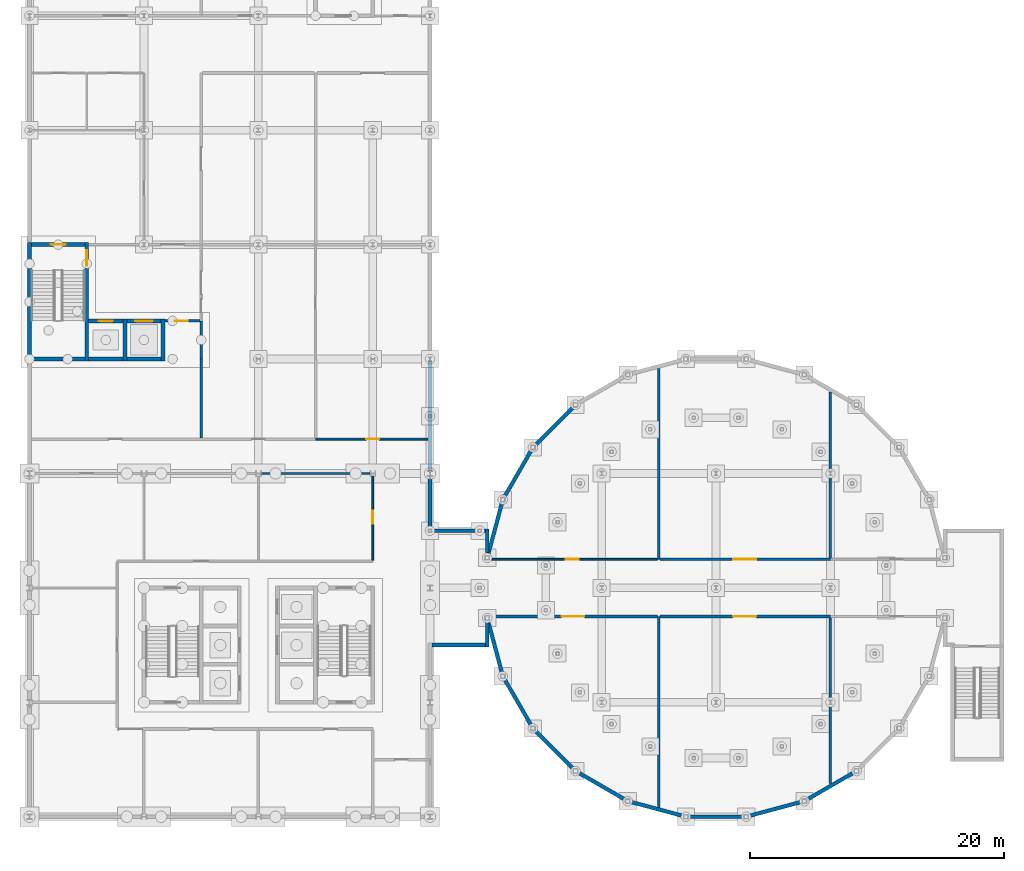
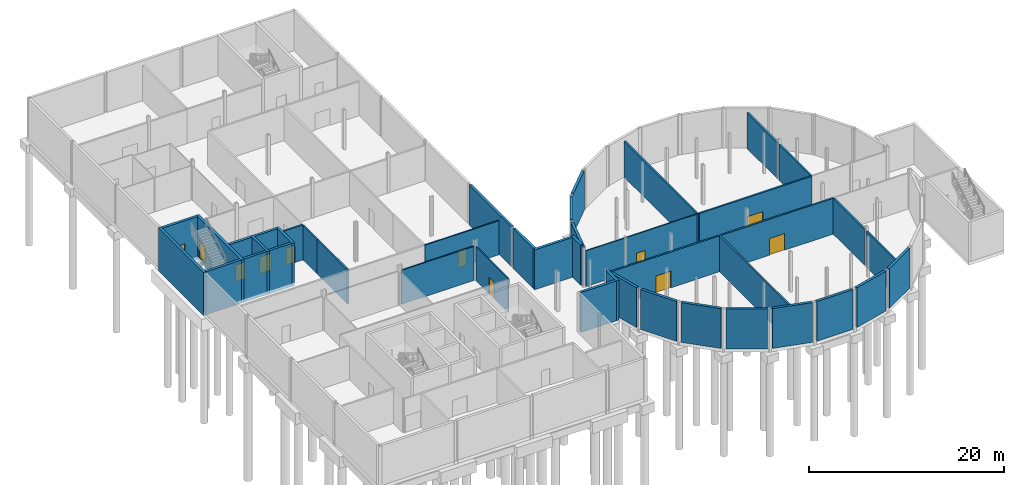
# One storey, part 15 of 25: 43 walls, 11 doors, 11 openings.
"""IFC4 building model written with IfcOpenShell, lengths in metres."""

from ifc_helpers import new_model, si_unit, direction, frame, frame_2d, origin, place, context, subcontext, project, spatial, rectangle, extrude, material, layer, layer_set, type_object, element, fill, save


model = new_model("IFC4")

# Units and contexts
model_context = context("Model", 3, precision=1e-05, world=origin(), true_north=direction((0.0, 1.0)))
body_context = subcontext(model_context, "Body", "Model", "MODEL_VIEW")
ifc_project = project(units=[si_unit("LENGTHUNIT", "METRE"), si_unit("AREAUNIT", "SQUARE_METRE"), si_unit("VOLUMEUNIT", "CUBIC_METRE"), si_unit("PLANEANGLEUNIT", "RADIAN"), si_unit("MASSUNIT", "GRAM", prefix="KILO")], contexts=[model_context])

# Site, building, storey
site_placement = place(None, origin())
site = spatial("IfcSite", under=ifc_project, at=site_placement, CompositionType="ELEMENT")
building_placement = place(site_placement, origin())
building = spatial("IfcBuilding", under=site, at=building_placement, Name="Hortulan Conservatory and Botanical Research Centre", CompositionType="ELEMENT")
storey_placement = place(building_placement, frame((0.0, 0.0, -5.0)))
storey = spatial("IfcBuildingStorey", under=building, at=storey_placement, Name="B1", CompositionType="ELEMENT", Elevation=-5.0)

# Walls
ifc_material_1 = material(Name="Concrete N40 (40 MPa, AS 3600)", Category="concrete")
ifc_layer_1 = layer(ifc_material_1, 0.300048828125)
ifc_layer_set_1 = layer_set([ifc_layer_1], Name="Basement Wall 300 N40 FRL 120/120/120")
wall_type_1 = type_object("IfcWallType", Name="Basement Wall 300 N40 FRL 120/120/120", PredefinedType="SOLIDWALL", material=ifc_layer_set_1)
wall_1_placement = place(storey_placement, frame((64.835693359375, 3.471435546875, 0.0), z_axis=(0.0, 0.0, 1.0), x_axis=(-0.866030225258, -0.499991648869, 0.0)))
element("IfcWall", 1, at=wall_1_placement, inside=storey, type_object=wall_type_1, Name="Basement retaining wall", PredefinedType="SOLIDWALL", context=body_context, shape_type="SweptSolid", body=[
    extrude(rectangle(XDim=4.2392578125, YDim=0.300048828125, at=frame_2d((2.11962890625, 0.0))), origin(), (0.0, 0.0, 1.0), 5.0),
])
wall_2_placement = place(storey_placement, frame((60.706298828125, 1.162109375, 0.0), z_axis=(0.0, 0.0, 1.0), x_axis=(-0.965919776125, -0.258841623565, 0.0)))
element("IfcWall", 2, at=wall_2_placement, inside=storey, type_object=wall_type_1, Name="Basement retaining wall", PredefinedType="SOLIDWALL", context=body_context, shape_type="SweptSolid", body=[
    extrude(rectangle(XDim=4.23974609375, YDim=0.300048828125, at=frame_2d((2.119873046875, 0.0))), origin(), (0.0, 0.0, 1.0), 5.0),
])
wall_3_placement = place(storey_placement, frame((56.11962890625, 0.0, 0.0), z_axis=(0.0, 0.0, 1.0), x_axis=(-1.0, 0.0, 0.0)))
element("IfcWall", 3, at=wall_3_placement, inside=storey, type_object=wall_type_1, Name="Basement retaining wall", PredefinedType="SOLIDWALL", context=body_context, shape_type="SweptSolid", body=[
    extrude(rectangle(XDim=4.2392578125, YDim=0.300048828125, at=frame_2d((2.11962890625, 0.0))), origin(), (0.0, 0.0, 1.0), 5.0),
])
wall_4_placement = place(storey_placement, frame((51.388916015625, 0.064697265625, 0.0), z_axis=(0.0, 0.0, 1.0), x_axis=(-0.965919776125, 0.258841623565, 0.0)))
element("IfcWall", 4, at=wall_4_placement, inside=storey, type_object=wall_type_1, Name="Basement retaining wall", PredefinedType="SOLIDWALL", context=body_context, shape_type="SweptSolid", body=[
    extrude(rectangle(XDim=4.23974609375, YDim=0.300048828125, at=frame_2d((2.119873046875, 0.0))), origin(), (0.0, 0.0, 1.0), 5.0),
])
wall_5_placement = place(storey_placement, frame((46.835693359375, 1.351806640625, 0.0), z_axis=(0.0, 0.0, 1.0), x_axis=(-0.866030225258, 0.499991648869, 0.0)))
element("IfcWall", 5, at=wall_5_placement, inside=storey, type_object=wall_type_1, Name="Basement retaining wall", PredefinedType="SOLIDWALL", context=body_context, shape_type="SweptSolid", body=[
    extrude(rectangle(XDim=4.2392578125, YDim=0.300048828125, at=frame_2d((2.11962890625, 0.0))), origin(), (0.0, 0.0, 1.0), 5.0),
])
wall_6_placement = place(storey_placement, frame((42.77099609375, 3.773193359375, 0.0), z_axis=(0.0, 0.0, 1.0), x_axis=(-0.707106781187, 0.707106781187, 0.0)))
element("IfcWall", 6, at=wall_6_placement, inside=storey, type_object=wall_type_1, Name="Basement retaining wall", PredefinedType="SOLIDWALL", context=body_context, shape_type="SweptSolid", body=[
    extrude(rectangle(XDim=4.239501953125, YDim=0.300048828125, at=frame_2d((2.11962890625, 0.0))), origin(), (0.0, 0.0, 1.0), 5.0),
])
wall_7_placement = place(storey_placement, frame((39.471435546875, 7.164306640625, 0.0), z_axis=(0.0, 0.0, 1.0), x_axis=(-0.499991648869, 0.866030225258, 0.0)))
element("IfcWall", 7, at=wall_7_placement, inside=storey, type_object=wall_type_1, Name="Basement retaining wall", PredefinedType="SOLIDWALL", context=body_context, shape_type="SweptSolid", body=[
    extrude(rectangle(XDim=4.2392578125, YDim=0.300048828125, at=frame_2d((2.11962890625, 0.0))), origin(), (0.0, 0.0, 1.0), 5.0),
])
wall_8_placement = place(storey_placement, frame((37.162109375, 11.293701171875, 0.0), z_axis=(0.0, 0.0, 1.0), x_axis=(-0.25885146559, 0.965917138663, 0.0)))
element("IfcWall", 8, at=wall_8_placement, inside=storey, type_object=wall_type_1, Name="Basement retaining wall", PredefinedType="SOLIDWALL", context=body_context, shape_type="SweptSolid", body=[
    extrude(rectangle(XDim=4.089599609375, YDim=0.300048828125, at=frame_2d((2.044921875, 0.0))), origin(), (0.0, 0.0, 1.0), 5.0),
])
wall_9_placement = place(storey_placement, frame((36.0, 15.5302734375, 0.0), z_axis=(0.0, 0.0, 1.0), x_axis=(0.0, -1.0, 0.0)))
element("IfcWall", 9, at=wall_9_placement, inside=storey, type_object=wall_type_1, Name="Basement retaining wall", PredefinedType="SOLIDWALL", context=body_context, shape_type="SweptSolid", body=[
    extrude(rectangle(XDim=2.18017578125, YDim=0.300048828125, at=frame_2d((1.090087890625, 0.0))), origin(), (0.0, 0.0, 1.0), 5.0),
])
wall_10_placement = place(storey_placement, frame((35.85009765625, 13.5, 0.0), z_axis=(0.0, 0.0, 1.0), x_axis=(-1.0, 0.0, 0.0)))
element("IfcWall", 10, at=wall_10_placement, inside=storey, type_object=wall_type_1, Name="Basement retaining wall", PredefinedType="SOLIDWALL", context=body_context, shape_type="SweptSolid", body=[
    extrude(rectangle(XDim=4.2001953125, YDim=0.300048828125, at=frame_2d((2.10009765625, 0.0))), origin(), (0.0, 0.0, 1.0), 5.0),
])
wall_11_placement = place(storey_placement, frame((31.5, 35.839599609375, 0.0), z_axis=(0.0, 0.0, 1.0), x_axis=(0.0, -1.0, 0.0)))
element("IfcWall", 11, at=wall_11_placement, inside=storey, type_object=wall_type_1, Name="Basement retaining wall", PredefinedType="SOLIDWALL", context=body_context, shape_type="SweptSolid", body=[
    extrude(rectangle(XDim=8.628662109375, YDim=0.300048828125, at=frame_2d((4.314453125, 0.0))), origin(), (0.0, 0.0, 1.0), 5.0),
])
wall_12_placement = place(storey_placement, frame((31.35009765625, 22.5, 0.0), z_axis=(0.0, 0.0, 1.0), x_axis=(1.0, 0.0, 0.0)))
element("IfcWall", 12, at=wall_12_placement, inside=storey, type_object=wall_type_1, Name="Basement retaining wall", PredefinedType="SOLIDWALL", context=body_context, shape_type="SweptSolid", body=[
    extrude(rectangle(XDim=4.5, YDim=0.300048828125, at=frame_2d((2.25, 0.0))), origin(), (0.0, 0.0, 1.0), 5.0),
])
wall_13_placement = place(storey_placement, frame((36.0, 22.64990234375, 0.0), z_axis=(0.0, 0.0, 1.0), x_axis=(0.0, -1.0, 0.0)))
element("IfcWall", 13, at=wall_13_placement, inside=storey, type_object=wall_type_1, Name="Basement retaining wall", PredefinedType="SOLIDWALL", context=body_context, shape_type="SweptSolid", body=[
    extrude(rectangle(XDim=1.880126953125, YDim=0.300048828125, at=frame_2d((0.93994140625, 0.0))), origin(), (0.0, 0.0, 1.0), 5.0),
])
wall_14_placement = place(storey_placement, frame((36.02587890625, 20.46630859375, 0.0), z_axis=(0.0, 0.0, 1.0), x_axis=(0.258846359831, 0.965918506916, 0.0)))
element("IfcWall", 14, at=wall_14_placement, inside=storey, type_object=wall_type_1, Name="Basement retaining wall", PredefinedType="SOLIDWALL", context=body_context, shape_type="SweptSolid", body=[
    extrude(rectangle(XDim=4.3896484375, YDim=0.300048828125, at=frame_2d((2.19482421875, 0.0))), origin(), (0.0, 0.0, 1.0), 5.0),
])
wall_15_placement = place(storey_placement, frame((37.351806640625, 25.164306640625, 0.0), z_axis=(0.0, 0.0, 1.0), x_axis=(0.499991648869, 0.866030225258, 0.0)))
element("IfcWall", 15, at=wall_15_placement, inside=storey, type_object=wall_type_1, Name="Basement retaining wall", PredefinedType="SOLIDWALL", context=body_context, shape_type="SweptSolid", body=[
    extrude(rectangle(XDim=4.2392578125, YDim=0.300048828125, at=frame_2d((2.11962890625, 0.0))), origin(), (0.0, 0.0, 1.0), 5.0),
])
wall_16_placement = place(storey_placement, frame((39.773193359375, 29.22900390625, 0.0), z_axis=(0.0, 0.0, 1.0), x_axis=(0.707106781187, 0.707106781187, 0.0)))
element("IfcWall", 16, at=wall_16_placement, inside=storey, type_object=wall_type_1, Name="Basement retaining wall", PredefinedType="SOLIDWALL", context=body_context, shape_type="SweptSolid", body=[
    extrude(rectangle(XDim=4.239501953125, YDim=0.300048828125, at=frame_2d((2.11962890625, 0.0))), origin(), (0.0, 0.0, 1.0), 5.0),
])
ifc_layer_2 = layer(ifc_material_1, 0.300048828125)
ifc_layer_set_2 = layer_set([ifc_layer_2], Name="Basement Wall 300 N40 FRL 240/240/240")
wall_type_2 = type_object("IfcWallType", Name="Basement Wall 300 N40 FRL 240/240/240", PredefinedType="SOLIDWALL", material=ifc_layer_set_2)
wall_17_placement = place(storey_placement, frame((31.5, 26.7890625, 0.0), z_axis=(0.0, 0.0, 1.0), x_axis=(0.0, -1.0, 0.0)))
element("IfcWall", 17, at=wall_17_placement, inside=storey, type_object=wall_type_2, Name="Basement retaining wall", PredefinedType="SOLIDWALL", context=body_context, shape_type="SweptSolid", body=[
    extrude(rectangle(XDim=4.13916015625, YDim=0.300048828125, at=frame_2d((2.069580078125, 0.0))), origin(), (0.0, 0.0, 1.0), 5.0),
])
ifc_material_2 = material(Name="Fire-rated plasterboard on steel studs", Category="steel")
ifc_layer_3 = layer(ifc_material_2, 0.199951171875)
ifc_layer_set_3 = layer_set([ifc_layer_3], Name="Compartment Partition 200")
wall_type_3 = type_object("IfcWallType", Name="Compartment Partition 200", PredefinedType="PARTITIONING", material=ifc_layer_set_3)
wall_18_placement = place(storey_placement, frame((13.5, 29.81005859375, 0.0), z_axis=(0.0, 0.0, 1.0), x_axis=(0.0, 1.0, 0.0)))
element("IfcWall", 18, at=wall_18_placement, inside=storey, type_object=wall_type_3, Name="Store wall", PredefinedType="PARTITIONING", context=body_context, shape_type="SweptSolid", body=[
    extrude(rectangle(XDim=6.18994140625, YDim=0.199951171875, at=frame_2d((3.094970703125, 0.0))), origin(), (0.0, 0.0, 1.0), 4.27197265625),
])
wall_19_placement = place(storey_placement, frame((13.5, 36.010009765625, 0.0), z_axis=(0.0, 0.0, 1.0), x_axis=(0.0, 1.0, 0.0)))
element("IfcWall", 19, at=wall_19_placement, inside=storey, type_object=wall_type_3, Name="Partition Services Riser and Exhibition Workshop B1", PredefinedType="PARTITIONING", context=body_context, shape_type="SweptSolid", body=[
    extrude(rectangle(XDim=2.97998046875, YDim=0.199951171875, at=frame_2d((1.489990234375, 0.0))), origin(), (0.0, 0.0, 1.0), 4.27197265625),
])
for number, where, z_axis, x_axis, name in (
    (20, (49.5, 0.736572265625, 0.0), (0.0, 0.0, 1.0), (0.0, 1.0, 0.0), "Partition Conservatory Heating and Cooling Hall and Irrigation Tank Room B1"),
    (21, (49.5, 20.25, 0.0), (0.0, 0.0, 1.0), (0.0, 1.0, 0.0), "Partition Propagation Cold Chamber and Rainwater Tank Room B1"),
):
    element("IfcWall", number, at=place(storey_placement, frame(where, z_axis=z_axis, x_axis=x_axis)), inside=storey, type_object=wall_type_3, Name=name, PredefinedType="PARTITIONING", context=body_context, shape_type="SweptSolid", body=[
        extrude(rectangle(XDim=15.013427734375, YDim=0.199951171875, at=frame_2d((7.5068359375, 0.0))), origin(), (0.0, 0.0, 1.0), 4.49609375),
    ])
wall_20_placement = place(storey_placement, frame((63.0, 2.59619140625, 0.0), z_axis=(0.0, 0.0, 1.0), x_axis=(0.0, 1.0, 0.0)))
element("IfcWall", 22, at=wall_20_placement, inside=storey, type_object=wall_type_3, Name="Partition Irrigation Tank Room and Substrate and Compost Depot B1", PredefinedType="PARTITIONING", context=body_context, shape_type="SweptSolid", body=[
    extrude(rectangle(XDim=6.236328125, YDim=0.199951171875, at=frame_2d((3.1181640625, 0.0))), origin(), (0.0, 0.0, 1.0), 4.49609375),
])
for number, where, z_axis, x_axis, name in (
    (23, (63.0, 9.16748046875, 0.0), (0.0, 0.0, 1.0), (0.0, 1.0, 0.0), "Partition Irrigation Tank Room and Substrate and Compost Depot B1"),
    (24, (63.0, 20.360107421875, 0.0), (0.0, 0.0, 1.0), (0.0, 1.0, 0.0), "Partition Rainwater Tank Room and Fertiliser and Chemical Depot B1"),
):
    element("IfcWall", number, at=place(storey_placement, frame(where, z_axis=z_axis, x_axis=x_axis)), inside=storey, type_object=wall_type_3, Name=name, PredefinedType="PARTITIONING", context=body_context, shape_type="SweptSolid", body=[
        extrude(rectangle(XDim=6.472412109375, YDim=0.199951171875, at=frame_2d((3.236328125, 0.0))), origin(), (0.0, 0.0, 1.0), 4.49609375),
    ])
wall_21_placement = place(storey_placement, frame((63.0, 27.16748046875, 0.0), z_axis=(0.0, 0.0, 1.0), x_axis=(0.0, 1.0, 0.0)))
element("IfcWall", 25, at=wall_21_placement, inside=storey, type_object=wall_type_3, Name="Partition Rainwater Tank Room and Fertiliser and Chemical Depot B1", PredefinedType="PARTITIONING", context=body_context, shape_type="SweptSolid", body=[
    extrude(rectangle(XDim=6.236328125, YDim=0.199951171875, at=frame_2d((3.1181640625, 0.0))), origin(), (0.0, 0.0, 1.0), 4.49609375),
])

# Wall, opening, door
wall_22_placement = place(storey_placement, frame((36.18505859375, 15.75, 0.0), z_axis=(0.0, 0.0, 1.0), x_axis=(1.0, 0.0, 0.0)))
wall_22 = element("IfcWall", 26, at=wall_22_placement, inside=storey, type_object=wall_type_3, Name="Partition Undercroft Plant Corridor and Conservatory Heating and Cooling Hall B1", PredefinedType="PARTITIONING", context=body_context, shape_type="SweptSolid", body=[
    extrude(rectangle(XDim=13.204833984375, YDim=0.199951171875, at=frame_2d((6.6025390625, 0.0))), origin(), (0.0, 0.0, 1.0), 4.49609375),
])
opening_1_placement = place(wall_22_placement, frame((5.6650390625, 0.0, 0.0)))
opening_1 = element("IfcOpeningElement", 27, at=opening_1_placement, cuts=wall_22, Name="Opening DT7", PredefinedType="OPENING", context=body_context, shape_type="SweptSolid", body=[
    extrude(rectangle(XDim=1.800048828125, YDim=2.10009765625, at=frame_2d((0.89990234375, 1.050048828125))), frame((0.0, 0.10986328125, 0.0), z_axis=(0.0, -1.0, 0.0), x_axis=(1.0, 0.0, 0.0)), (0.0, 0.0, 1.0), 0.219970703125),
])
ifc_material_3 = material(Name="Steel door leaf, insulated", Category="steel")
door_type_1 = type_object("IfcDoorType", Name="Plant Room Double Door 1800x2100 FRL -/120/30", OperationType="DOUBLE_DOOR_SINGLE_SWING", PredefinedType="DOOR", material=ifc_material_3)
door_1_placement = place(opening_1_placement, origin())
door_1 = element("IfcDoor", 28, at=door_1_placement, inside=storey, type_object=door_type_1, Name="Door DT7 Conservatory Heating and Cooling Hall to Undercroft Plant Corridor", OperationType="DOUBLE_DOOR_SINGLE_SWING", OverallHeight=2.10009765625, OverallWidth=1.800048828125, PredefinedType="DOOR", context=body_context, shape_type="SweptSolid", body=[
    extrude(rectangle(XDim=1.800048828125, YDim=2.10009765625, at=frame_2d((0.89990234375, 1.050048828125))), frame((0.0, 0.02490234375, 0.0), z_axis=(0.0, -1.0, 0.0), x_axis=(1.0, 0.0, 0.0)), (0.0, 0.0, 1.0), 0.050048828125),
])
fill(opening_1, door_1)

wall_23_placement = place(storey_placement, frame((49.610107421875, 15.75, 0.0), z_axis=(0.0, 0.0, 1.0), x_axis=(1.0, 0.0, 0.0)))
wall_23 = element("IfcWall", 29, at=wall_23_placement, inside=storey, type_object=wall_type_3, Name="Partition Undercroft Plant Corridor and Irrigation Tank Room B1", PredefinedType="PARTITIONING", context=body_context, shape_type="SweptSolid", body=[
    extrude(rectangle(XDim=13.389892578125, YDim=0.199951171875, at=frame_2d((6.69482421875, 0.0))), origin(), (0.0, 0.0, 1.0), 4.49609375),
])
opening_2_placement = place(wall_23_placement, frame((5.739990234375, 0.0, 0.0)))
opening_2 = element("IfcOpeningElement", 30, at=opening_2_placement, cuts=wall_23, Name="Opening DT7", PredefinedType="OPENING", context=body_context, shape_type="SweptSolid", body=[
    extrude(rectangle(XDim=1.800048828125, YDim=2.10009765625, at=frame_2d((0.89990234375, 1.050048828125))), frame((0.0, 0.10986328125, 0.0), z_axis=(0.0, -1.0, 0.0), x_axis=(1.0, 0.0, 0.0)), (0.0, 0.0, 1.0), 0.219970703125),
])
door_2_placement = place(opening_2_placement, origin())
door_2 = element("IfcDoor", 31, at=door_2_placement, inside=storey, type_object=door_type_1, Name="Door DT7 Irrigation Tank Room to Undercroft Plant Corridor", OperationType="DOUBLE_DOOR_SINGLE_SWING", OverallHeight=2.10009765625, OverallWidth=1.800048828125, PredefinedType="DOOR", context=body_context, shape_type="SweptSolid", body=[
    extrude(rectangle(XDim=1.800048828125, YDim=2.10009765625, at=frame_2d((0.89990234375, 1.050048828125))), frame((0.0, 0.02490234375, 0.0), z_axis=(0.0, -1.0, 0.0), x_axis=(1.0, 0.0, 0.0)), (0.0, 0.0, 1.0), 0.050048828125),
])
fill(opening_2, door_2)

wall_24_placement = place(storey_placement, frame((49.610107421875, 20.25, 0.0), z_axis=(0.0, 0.0, 1.0), x_axis=(1.0, 0.0, 0.0)))
wall_24 = element("IfcWall", 32, at=wall_24_placement, inside=storey, type_object=wall_type_3, Name="Partition Undercroft Plant Corridor and Rainwater Tank Room B1", PredefinedType="PARTITIONING", context=body_context, shape_type="SweptSolid", body=[
    extrude(rectangle(XDim=13.389892578125, YDim=0.199951171875, at=frame_2d((6.69482421875, 0.0))), origin(), (0.0, 0.0, 1.0), 4.49609375),
])
opening_3_placement = place(wall_24_placement, frame((5.739990234375, 0.0, 0.0)))
opening_3 = element("IfcOpeningElement", 33, at=opening_3_placement, cuts=wall_24, Name="Opening DT7", PredefinedType="OPENING", context=body_context, shape_type="SweptSolid", body=[
    extrude(rectangle(XDim=1.800048828125, YDim=2.10009765625, at=frame_2d((0.89990234375, 1.050048828125))), frame((0.0, 0.10986328125, 0.0), z_axis=(0.0, -1.0, 0.0), x_axis=(1.0, 0.0, 0.0)), (0.0, 0.0, 1.0), 0.219970703125),
])
door_3_placement = place(opening_3_placement, frame((1.800048828125, 0.0, 0.0), z_axis=(0.0, 0.0, 1.0), x_axis=(-1.0, 0.0, 0.0)))
door_3 = element("IfcDoor", 34, at=door_3_placement, inside=storey, type_object=door_type_1, Name="Door DT7 Rainwater Tank Room to Undercroft Plant Corridor", OperationType="DOUBLE_DOOR_SINGLE_SWING", OverallHeight=2.10009765625, OverallWidth=1.800048828125, PredefinedType="DOOR", context=body_context, shape_type="SweptSolid", body=[
    extrude(rectangle(XDim=1.800048828125, YDim=2.10009765625, at=frame_2d((0.89990234375, 1.050048828125))), frame((0.0, 0.02490234375, 0.0), z_axis=(0.0, -1.0, 0.0), x_axis=(1.0, 0.0, 0.0)), (0.0, 0.0, 1.0), 0.050048828125),
])
fill(opening_3, door_3)

wall_25_placement = place(storey_placement, frame((10.659912109375, 39.0, 0.0), z_axis=(0.0, 0.0, 1.0), x_axis=(1.0, 0.0, 0.0)))
wall_25 = element("IfcWall", 35, at=wall_25_placement, inside=storey, type_object=wall_type_3, Name="Partition Services Riser and Lift Lobby B1", PredefinedType="PARTITIONING", context=body_context, shape_type="SweptSolid", body=[
    extrude(rectangle(XDim=2.739990234375, YDim=0.199951171875, at=frame_2d((1.3701171875, 0.0))), origin(), (0.0, 0.0, 1.0), 4.39404296875),
])
opening_4_placement = place(wall_25_placement, frame((0.77880859375, 0.0, 0.0)))
opening_4 = element("IfcOpeningElement", 36, at=opening_4_placement, cuts=wall_25, Name="Opening DT6", PredefinedType="OPENING", context=body_context, shape_type="SweptSolid", body=[
    extrude(rectangle(XDim=1.0, YDim=2.10009765625, at=frame_2d((0.5, 1.050048828125))), frame((0.0, 0.10986328125, 0.0), z_axis=(0.0, -1.0, 0.0), x_axis=(1.0, 0.0, 0.0)), (0.0, 0.0, 1.0), 0.219970703125),
])
door_type_2 = type_object("IfcDoorType", Name="Fire Door 1000x2100 FRL -/120/30", OperationType="NOTDEFINED", PredefinedType="DOOR", material=ifc_material_3)
door_4_placement = place(opening_4_placement, frame((1.0, 0.0, 0.0), z_axis=(0.0, 0.0, 1.0), x_axis=(-1.0, 0.0, 0.0)))
door_4 = element("IfcDoor", 37, at=door_4_placement, inside=storey, type_object=door_type_2, Name="Door DT6 Services Riser to Lift Lobby", OperationType="SINGLE_SWING_RIGHT", OverallHeight=2.10009765625, OverallWidth=1.0, PredefinedType="DOOR", context=body_context, shape_type="SweptSolid", body=[
    extrude(rectangle(XDim=1.0, YDim=2.10009765625, at=frame_2d((0.5, 1.050048828125))), frame((0.0, 0.02490234375, 0.0), z_axis=(0.0, -1.0, 0.0), x_axis=(1.0, 0.0, 0.0)), (0.0, 0.0, 1.0), 0.050048828125),
])
fill(opening_4, door_4)

# Wall
ifc_layer_4 = layer(ifc_material_1, 0.300048828125)
ifc_layer_set_4 = layer_set([ifc_layer_4], Name="Core Wall 300 N40 FRL 180/120/120")
wall_type_4 = type_object("IfcWallType", Name="Core Wall 300 N40 FRL 180/120/120", PredefinedType="SHEAR", material=ifc_layer_set_4)
wall_26_placement = place(storey_placement, frame((0.0, 35.85009765625, -0.39990234375), z_axis=(0.0, 0.0, 1.0), x_axis=(0.0, 1.0, 0.0)))
element("IfcWall", 38, at=wall_26_placement, inside=storey, type_object=wall_type_4, Name="Reinforced concrete shaft wall", PredefinedType="SHEAR", context=body_context, shape_type="SweptSolid", body=[
    extrude(rectangle(XDim=9.2998046875, YDim=0.300048828125, at=frame_2d((4.64990234375, 0.0))), origin(), (0.0, 0.0, 1.0), 5.39990234375),
])

# Wall, opening, door
wall_27_placement = place(storey_placement, frame((4.5, 35.85009765625, -0.39990234375), z_axis=(0.0, 0.0, 1.0), x_axis=(0.0, 1.0, 0.0)))
wall_27 = element("IfcWall", 39, at=wall_27_placement, inside=storey, type_object=wall_type_4, Name="Reinforced concrete shaft wall", PredefinedType="SHEAR", context=body_context, shape_type="SweptSolid", body=[
    extrude(rectangle(XDim=9.2998046875, YDim=0.300048828125, at=frame_2d((4.64990234375, 0.0))), origin(), (0.0, 0.0, 1.0), 5.39990234375),
])
opening_5_placement = place(wall_27_placement, frame((7.5, 0.0, 0.39990234375)))
opening_5 = element("IfcOpeningElement", 40, at=opening_5_placement, cuts=wall_27, Name="Opening DT5", PredefinedType="OPENING", context=body_context, shape_type="SweptSolid", body=[
    extrude(rectangle(XDim=1.199951171875, YDim=2.10009765625, at=frame_2d((0.60009765625, 1.050048828125))), frame((0.0, 0.159912109375, 0.0), z_axis=(0.0, -1.0, 0.0), x_axis=(1.0, 0.0, 0.0)), (0.0, 0.0, 1.0), 0.320068359375),
])
door_type_3 = type_object("IfcDoorType", Name="Stair Door 1200x2100 FRL -/120/30", OperationType="NOTDEFINED", PredefinedType="DOOR", material=ifc_material_3)
door_5_placement = place(opening_5_placement, origin())
door_5 = element("IfcDoor", 41, at=door_5_placement, inside=storey, type_object=door_type_3, Name="Door DT5 Exit Stair V1 to Lift Lobby", OperationType="SINGLE_SWING_LEFT", OverallHeight=2.10009765625, OverallWidth=1.199951171875, PredefinedType="DOOR", context=body_context, shape_type="SweptSolid", body=[
    extrude(rectangle(XDim=1.199951171875, YDim=2.10009765625, at=frame_2d((0.60009765625, 1.050048828125))), frame((0.0, 0.02490234375, 0.0), z_axis=(0.0, -1.0, 0.0), x_axis=(1.0, 0.0, 0.0)), (0.0, 0.0, 1.0), 0.050048828125),
])
fill(opening_5, door_5)

# Walls
for number, where, z_axis, x_axis, name in (
    (42, (7.5, 35.85009765625, -0.39990234375), (0.0, 0.0, 1.0), (0.0, 1.0, 0.0), "Reinforced concrete shaft wall"),
    (43, (10.5, 35.85009765625, -0.39990234375), (0.0, 0.0, 1.0), (0.0, 1.0, 0.0), "Reinforced concrete shaft wall"),
):
    element("IfcWall", number, at=place(storey_placement, frame(where, z_axis=z_axis, x_axis=x_axis)), inside=storey, type_object=wall_type_4, Name=name, PredefinedType="SHEAR", context=body_context, shape_type="SweptSolid", body=[
        extrude(rectangle(XDim=3.2998046875, YDim=0.300048828125, at=frame_2d((1.64990234375, 0.0))), origin(), (0.0, 0.0, 1.0), 5.39990234375),
    ])
wall_28_placement = place(storey_placement, frame((0.14990234375, 36.0, -0.39990234375), z_axis=(0.0, 0.0, 1.0), x_axis=(1.0, 0.0, 0.0)))
element("IfcWall", 44, at=wall_28_placement, inside=storey, type_object=wall_type_4, Name="Reinforced concrete shaft wall", PredefinedType="SHEAR", context=body_context, shape_type="SweptSolid", body=[
    extrude(rectangle(XDim=4.2001953125, YDim=0.300048828125, at=frame_2d((2.10009765625, 0.0))), origin(), (0.0, 0.0, 1.0), 5.39990234375),
])
for number, where, z_axis, x_axis, name in (
    (45, (4.64990234375, 36.0, -0.39990234375), (0.0, 0.0, 1.0), (1.0, 0.0, 0.0), "Reinforced concrete shaft wall"),
    (46, (7.64990234375, 36.0, -0.39990234375), (0.0, 0.0, 1.0), (1.0, 0.0, 0.0), "Reinforced concrete shaft wall"),
):
    element("IfcWall", number, at=place(storey_placement, frame(where, z_axis=z_axis, x_axis=x_axis)), inside=storey, type_object=wall_type_4, Name=name, PredefinedType="SHEAR", context=body_context, shape_type="SweptSolid", body=[
        extrude(rectangle(XDim=2.7001953125, YDim=0.300048828125, at=frame_2d((1.35009765625, 0.0))), origin(), (0.0, 0.0, 1.0), 5.39990234375),
    ])

# Wall, opening, door
wall_29_placement = place(storey_placement, frame((4.64990234375, 39.0, -0.39990234375), z_axis=(0.0, 0.0, 1.0), x_axis=(1.0, 0.0, 0.0)))
wall_29 = element("IfcWall", 47, at=wall_29_placement, inside=storey, type_object=wall_type_4, Name="Reinforced concrete shaft wall", PredefinedType="SHEAR", context=body_context, shape_type="SweptSolid", body=[
    extrude(rectangle(XDim=2.7001953125, YDim=0.300048828125, at=frame_2d((1.35009765625, 0.0))), origin(), (0.0, 0.0, 1.0), 5.39990234375),
])
opening_6_placement = place(wall_29_placement, frame((0.800048828125, 0.0, 0.39990234375)))
opening_6 = element("IfcOpeningElement", 48, at=opening_6_placement, cuts=wall_29, Name="Opening LD1", PredefinedType="OPENING", context=body_context, shape_type="SweptSolid", body=[
    extrude(rectangle(XDim=1.10009765625, YDim=2.10009765625, at=frame_2d((0.550048828125, 1.050048828125))), frame((0.0, 0.159912109375, 0.0), z_axis=(0.0, -1.0, 0.0), x_axis=(1.0, 0.0, 0.0)), (0.0, 0.0, 1.0), 0.320068359375),
])
ifc_material_4 = material(Name="Stainless steel door leaves in steel frame", Category="steel")
door_type_4 = type_object("IfcDoorType", Name="Lift Landing Door 1100x2100", OperationType="DOUBLE_DOOR_SLIDING", PredefinedType="DOOR", material=ifc_material_4)
door_6_placement = place(opening_6_placement, origin())
door_6 = element("IfcDoor", 49, at=door_6_placement, inside=storey, type_object=door_type_4, Name="Lift LV1 landing door B1", OperationType="DOUBLE_DOOR_SLIDING", OverallHeight=2.10009765625, OverallWidth=1.10009765625, PredefinedType="DOOR", context=body_context, shape_type="SweptSolid", body=[
    extrude(rectangle(XDim=1.10009765625, YDim=2.10009765625, at=frame_2d((0.550048828125, 1.050048828125))), frame((0.0, 0.02490234375, 0.0), z_axis=(0.0, -1.0, 0.0), x_axis=(1.0, 0.0, 0.0)), (0.0, 0.0, 1.0), 0.050048828125),
])
fill(opening_6, door_6)

wall_30_placement = place(storey_placement, frame((7.64990234375, 39.0, -0.39990234375), z_axis=(0.0, 0.0, 1.0), x_axis=(1.0, 0.0, 0.0)))
wall_30 = element("IfcWall", 50, at=wall_30_placement, inside=storey, type_object=wall_type_4, Name="Reinforced concrete shaft wall", PredefinedType="SHEAR", context=body_context, shape_type="SweptSolid", body=[
    extrude(rectangle(XDim=2.7001953125, YDim=0.300048828125, at=frame_2d((1.35009765625, 0.0))), origin(), (0.0, 0.0, 1.0), 5.39990234375),
])
opening_7_placement = place(wall_30_placement, frame((0.64990234375, 0.0, 0.39990234375)))
opening_7 = element("IfcOpeningElement", 51, at=opening_7_placement, cuts=wall_30, Name="Opening LD2", PredefinedType="OPENING", context=body_context, shape_type="SweptSolid", body=[
    extrude(rectangle(XDim=1.39990234375, YDim=2.10009765625, at=frame_2d((0.699951171875, 1.050048828125))), frame((0.0, 0.159912109375, 0.0), z_axis=(0.0, -1.0, 0.0), x_axis=(1.0, 0.0, 0.0)), (0.0, 0.0, 1.0), 0.320068359375),
])
door_type_5 = type_object("IfcDoorType", Name="Lift Landing Door 1400x2100", OperationType="DOUBLE_DOOR_SLIDING", PredefinedType="DOOR", material=ifc_material_4)
door_7_placement = place(opening_7_placement, origin())
door_7 = element("IfcDoor", 52, at=door_7_placement, inside=storey, type_object=door_type_5, Name="Lift LV2 landing door B1", OperationType="DOUBLE_DOOR_SLIDING", OverallHeight=2.10009765625, OverallWidth=1.39990234375, PredefinedType="DOOR", context=body_context, shape_type="SweptSolid", body=[
    extrude(rectangle(XDim=1.39990234375, YDim=2.10009765625, at=frame_2d((0.699951171875, 1.050048828125))), frame((0.0, 0.02490234375, 0.0), z_axis=(0.0, -1.0, 0.0), x_axis=(1.0, 0.0, 0.0)), (0.0, 0.0, 1.0), 0.050048828125),
])
fill(opening_7, door_7)

wall_31_placement = place(storey_placement, frame((0.14990234375, 45.0, -0.39990234375), z_axis=(0.0, 0.0, 1.0), x_axis=(1.0, 0.0, 0.0)))
wall_31 = element("IfcWall", 53, at=wall_31_placement, inside=storey, type_object=wall_type_4, Name="Reinforced concrete shaft wall", PredefinedType="SHEAR", context=body_context, shape_type="SweptSolid", body=[
    extrude(rectangle(XDim=4.2001953125, YDim=0.300048828125, at=frame_2d((2.10009765625, 0.0))), origin(), (0.0, 0.0, 1.0), 5.39990234375),
])
opening_8_placement = place(wall_31_placement, frame((1.5, 0.0, 0.39990234375)))
opening_8 = element("IfcOpeningElement", 54, at=opening_8_placement, cuts=wall_31, Name="Opening DT5", PredefinedType="OPENING", context=body_context, shape_type="SweptSolid", body=[
    extrude(rectangle(XDim=1.199951171875, YDim=2.10009765625, at=frame_2d((0.60009765625, 1.050048828125))), frame((0.0, 0.159912109375, 0.0), z_axis=(0.0, -1.0, 0.0), x_axis=(1.0, 0.0, 0.0)), (0.0, 0.0, 1.0), 0.320068359375),
])
door_8_placement = place(opening_8_placement, frame((1.199951171875, 0.0, 0.0), z_axis=(0.0, 0.0, 1.0), x_axis=(-1.0, 0.0, 0.0)))
door_8 = element("IfcDoor", 55, at=door_8_placement, inside=storey, type_object=door_type_3, Name="Stair door V1 B1 N to Cycle Parking Hall", OperationType="SINGLE_SWING_RIGHT", OverallHeight=2.10009765625, OverallWidth=1.199951171875, PredefinedType="DOOR", context=body_context, shape_type="SweptSolid", body=[
    extrude(rectangle(XDim=1.199951171875, YDim=2.10009765625, at=frame_2d((0.60009765625, 1.050048828125))), frame((0.0, 0.02490234375, 0.0), z_axis=(0.0, -1.0, 0.0), x_axis=(1.0, 0.0, 0.0)), (0.0, 0.0, 1.0), 0.050048828125),
])
fill(opening_8, door_8)

ifc_material_5 = material(Name="Plasterboard on steel studs", Category="steel")
ifc_layer_5 = layer(ifc_material_5, 0.14990234375)
ifc_layer_set_5 = layer_set([ifc_layer_5], Name="Corridor Partition 150")
wall_type_5 = type_object("IfcWallType", Name="Corridor Partition 150", PredefinedType="PARTITIONING", material=ifc_layer_set_5)
wall_32_placement = place(storey_placement, frame((27.0, 20.18505859375, 0.0), z_axis=(0.0, 0.0, 1.0), x_axis=(0.0, 1.0, 0.0)))
wall_32 = element("IfcWall", 56, at=wall_32_placement, inside=storey, type_object=wall_type_5, Name="Corridor partition", PredefinedType="PARTITIONING", context=body_context, shape_type="SweptSolid", body=[
    extrude(rectangle(XDim=6.593994140625, YDim=0.14990234375, at=frame_2d((3.296875, 0.0))), origin(), (0.0, 0.0, 1.0), 4.26708984375),
])
opening_9_placement = place(wall_32_placement, frame((2.864990234375, 0.0, 0.0)))
opening_9 = element("IfcOpeningElement", 57, at=opening_9_placement, cuts=wall_32, Name="Opening DT1", PredefinedType="OPENING", context=body_context, shape_type="SweptSolid", body=[
    extrude(rectangle(XDim=1.0, YDim=2.10009765625, at=frame_2d((0.5, 1.050048828125))), frame((0.0, 0.0849609375, 0.0), z_axis=(0.0, -1.0, 0.0), x_axis=(1.0, 0.0, 0.0)), (0.0, 0.0, 1.0), 0.169921875),
])
ifc_material_6 = material(Name="Timber door leaf in timber frame", Category="wood")
door_type_6 = type_object("IfcDoorType", Name="Single Door 1000x2100", OperationType="NOTDEFINED", PredefinedType="DOOR", material=ifc_material_6)
door_9_placement = place(opening_9_placement, origin())
door_9 = element("IfcDoor", 58, at=door_9_placement, inside=storey, type_object=door_type_6, Name="Door DT1 Seed Cleaning and Sorting Room", OperationType="SINGLE_SWING_LEFT", OverallHeight=2.10009765625, OverallWidth=1.0, PredefinedType="DOOR", context=body_context, shape_type="SweptSolid", body=[
    extrude(rectangle(XDim=1.0, YDim=2.10009765625, at=frame_2d((0.5, 1.050048828125))), frame((0.0, 0.02490234375, 0.0), z_axis=(0.0, -1.0, 0.0), x_axis=(1.0, 0.0, 0.0)), (0.0, 0.0, 1.0), 0.050048828125),
])
fill(opening_9, door_9)

# Wall
wall_33_placement = place(storey_placement, frame((18.2099609375, 27.0, 0.0), z_axis=(0.0, 0.0, 1.0), x_axis=(1.0, 0.0, 0.0)))
element("IfcWall", 59, at=wall_33_placement, inside=storey, type_object=wall_type_5, Name="Corridor partition", PredefinedType="PARTITIONING", context=body_context, shape_type="SweptSolid", body=[
    extrude(rectangle(XDim=8.580078125, YDim=0.14990234375, at=frame_2d((4.2900390625, 0.0))), origin(), (0.0, 0.0, 1.0), 4.27197265625),
])

# Wall, opening, door
wall_34_placement = place(storey_placement, frame((22.510009765625, 29.699951171875, 0.0), z_axis=(0.0, 0.0, 1.0), x_axis=(1.0, 0.0, 0.0)))
wall_34 = element("IfcWall", 60, at=wall_34_placement, inside=storey, type_object=wall_type_5, Name="Corridor partition", PredefinedType="PARTITIONING", context=body_context, shape_type="SweptSolid", body=[
    extrude(rectangle(XDim=8.830078125, YDim=0.14990234375, at=frame_2d((4.4150390625, 0.0))), origin(), (0.0, 0.0, 1.0), 4.26708984375),
])
opening_10_placement = place(wall_34_placement, frame((3.989990234375, 0.0, 0.0)))
opening_10 = element("IfcOpeningElement", 61, at=opening_10_placement, cuts=wall_34, Name="Opening DT1", PredefinedType="OPENING", context=body_context, shape_type="SweptSolid", body=[
    extrude(rectangle(XDim=1.0, YDim=2.10009765625, at=frame_2d((0.5, 1.050048828125))), frame((0.0, 0.0849609375, 0.0), z_axis=(0.0, -1.0, 0.0), x_axis=(1.0, 0.0, 0.0)), (0.0, 0.0, 1.0), 0.169921875),
])
door_10_placement = place(opening_10_placement, origin())
door_10 = element("IfcDoor", 62, at=door_10_placement, inside=storey, type_object=door_type_6, Name="Door DT1 Goods Receiving Store", OperationType="SINGLE_SWING_RIGHT", OverallHeight=2.10009765625, OverallWidth=1.0, PredefinedType="DOOR", context=body_context, shape_type="SweptSolid", body=[
    extrude(rectangle(XDim=1.0, YDim=2.10009765625, at=frame_2d((0.5, 1.050048828125))), frame((0.0, 0.02490234375, 0.0), z_axis=(0.0, -1.0, 0.0), x_axis=(1.0, 0.0, 0.0)), (0.0, 0.0, 1.0), 0.050048828125),
])
fill(opening_10, door_10)

ifc_layer_6 = layer(ifc_material_5, 0.125)
ifc_layer_set_6 = layer_set([ifc_layer_6], Name="Partition 125")
wall_type_6 = type_object("IfcWallType", Name="Partition 125", PredefinedType="PARTITIONING", material=ifc_layer_set_6)
wall_35_placement = place(storey_placement, frame((36.18505859375, 20.25, 0.0), z_axis=(0.0, 0.0, 1.0), x_axis=(1.0, 0.0, 0.0)))
wall_35 = element("IfcWall", 63, at=wall_35_placement, inside=storey, type_object=wall_type_6, Name="Partition Undercroft Plant Corridor and Propagation Cold Chamber B1", PredefinedType="PARTITIONING", context=body_context, shape_type="SweptSolid", body=[
    extrude(rectangle(XDim=13.204833984375, YDim=0.125, at=frame_2d((6.6025390625, 0.0))), origin(), (0.0, 0.0, 1.0), 4.49609375),
])
opening_11_placement = place(wall_35_placement, frame((6.002685546875, 0.0, 0.0)))
opening_11 = element("IfcOpeningElement", 64, at=opening_11_placement, cuts=wall_35, Name="Opening DT1", PredefinedType="OPENING", context=body_context, shape_type="SweptSolid", body=[
    extrude(rectangle(XDim=1.0, YDim=2.10009765625, at=frame_2d((0.5, 1.050048828125))), frame((0.0, 0.072509765625, 0.0), z_axis=(0.0, -1.0, 0.0), x_axis=(1.0, 0.0, 0.0)), (0.0, 0.0, 1.0), 0.14501953125),
])
door_11_placement = place(opening_11_placement, origin())
door_11 = element("IfcDoor", 65, at=door_11_placement, inside=storey, type_object=door_type_6, Name="Door DT1 Propagation Cold Chamber to Undercroft Plant Corridor", OperationType="SINGLE_SWING_LEFT", OverallHeight=2.10009765625, OverallWidth=1.0, PredefinedType="DOOR", context=body_context, shape_type="SweptSolid", body=[
    extrude(rectangle(XDim=1.0, YDim=2.10009765625, at=frame_2d((0.5, 1.050048828125))), frame((0.0, 0.02490234375, 0.0), z_axis=(0.0, -1.0, 0.0), x_axis=(1.0, 0.0, 0.0)), (0.0, 0.0, 1.0), 0.050048828125),
])
fill(opening_11, door_11)

save(model, "model.ifc")
